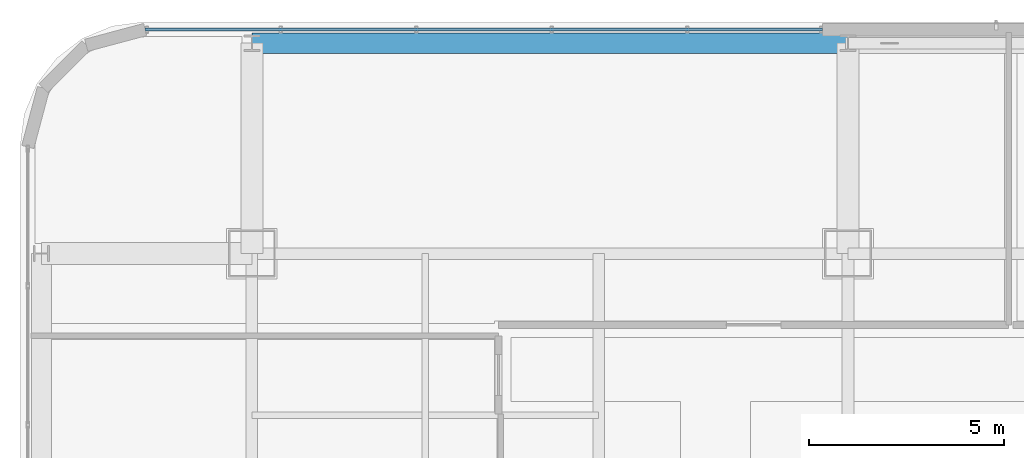
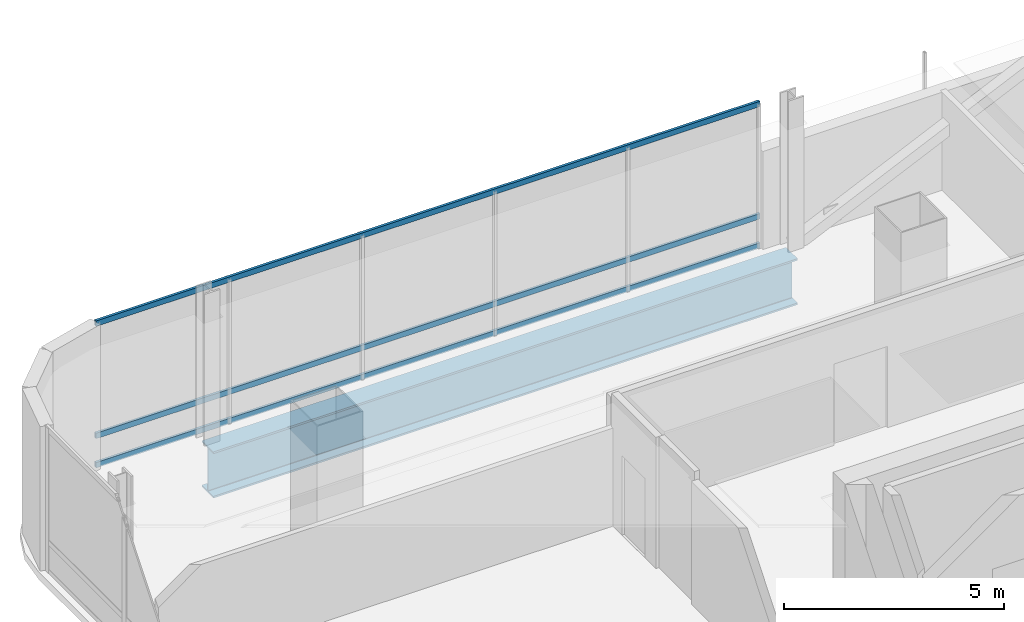
# One storey, part 23 of 43: 3 members, 1 beam, 1 element without a shape of its own.
"""IFC4 building model written with IfcOpenShell, lengths in metres."""

from ifc_helpers import new_model, si_unit, direction, frame, origin, origin_2d, place, context, subcontext, project, spatial, hollow_rectangle, i_section, extrude, material, material_profile, profile_set, type_object, element, aggregate, save


model = new_model("IFC4")

# Units and contexts
model_context = context("Model", 3, precision=1e-05, world=origin(), true_north=direction((0.0, 1.0)))
body_context = subcontext(model_context, "Body", "Model", "MODEL_VIEW")
ifc_project = project(units=[si_unit("LENGTHUNIT", "METRE"), si_unit("AREAUNIT", "SQUARE_METRE"), si_unit("VOLUMEUNIT", "CUBIC_METRE"), si_unit("PLANEANGLEUNIT", "RADIAN"), si_unit("MASSUNIT", "GRAM", prefix="KILO")], contexts=[model_context])

# Site, building, storey
site_placement = place(None, origin())
site = spatial("IfcSite", under=ifc_project, at=site_placement, CompositionType="ELEMENT")
building_placement = place(site_placement, origin())
building = spatial("IfcBuilding", under=site, at=building_placement, Name="Punatoya Terracotta Tower", CompositionType="ELEMENT")
storey_placement = place(building_placement, frame((0.0, 0.0, 300.60009765625)))
storey = spatial("IfcBuildingStorey", under=building, at=storey_placement, Name="L71", CompositionType="ELEMENT", Elevation=300.60009765625)

# Beam
ifc_material_1 = material(Name="Steel S460", Category="steel")
ifc_material_profile_1 = material_profile(ifc_material_1, i_section(OverallWidth=0.52001953125, OverallDepth=1.280029296875, WebThickness=0.031982421875, FlangeThickness=0.050048828125, FilletRadius=0.01806640625, at=origin_2d()))
ifc_profile_set_1 = profile_set([ifc_material_profile_1], Name="Steel S460")
beam_type = type_object("IfcBeamType", Name="BM-TG-NCK", PredefinedType="BEAM", material=ifc_profile_set_1)
beam_placement = place(storey_placement, frame((-19.10009765625, 22.89990234375, -0.840087890625), z_axis=(1.0, 0.0, 0.0), x_axis=(0.0, 1.0, 0.0)))
element("IfcBeam", 1, at=beam_placement, inside=storey, type_object=beam_type, Name="BM-L71-PER-N1", PredefinedType="BEAM", context=body_context, shape_type="SweptSolid", body=[
    extrude(i_section(OverallWidth=0.52001953125, OverallDepth=1.280029296875, WebThickness=0.031982421875, FlangeThickness=0.050048828125, FilletRadius=0.01806640625, at=origin_2d()), origin(), (0.0, 0.0, 1.0), 15.300048828125),
])

# Curtain wall, members
ifc_material_2 = material(Name="Aluminium 6063-T6 + Double Low-E Glass", Category="aluminium")
curtain_wall_type = type_object("IfcCurtainWallType", Name="CW-M3", PredefinedType="NOTDEFINED", material=ifc_material_2)
curtain_wall_placement = place(storey_placement, origin())
curtain_wall = element("IfcCurtainWall", 2, at=curtain_wall_placement, inside=storey, type_object=curtain_wall_type, Name="L71 Curtain Wall CW-L71-N09-2", PredefinedType="NOTDEFINED")
ifc_material_3 = material(Name="Aluminium 6063-T6", Category="aluminium")
ifc_material_profile_2 = material_profile(ifc_material_3, hollow_rectangle(XDim=0.068115234375, YDim=0.14990234375, WallThickness=0.00390625, at=origin_2d()))
ifc_profile_set_2 = profile_set([ifc_material_profile_2], Name="Aluminium 6063-T6")
member_type = type_object("IfcMemberType", Name="CW-TRN-TYP", PredefinedType="USERDEFINED", material=ifc_profile_set_2)
member_1_placement = place(storey_placement, frame((-4.449951171875, 23.25, 0.039794921875), z_axis=(-1.0, 0.0, 0.0), x_axis=(0.0, -1.0, 0.0)))
member_1 = element("IfcMember", 3, at=member_1_placement, type_object=member_type, Name="CW-L71-N09-2 Transom 1", ObjectType="TRANSOM", PredefinedType="USERDEFINED", context=body_context, shape_type="SweptSolid", body=[
    extrude(hollow_rectangle(XDim=0.068115234375, YDim=0.14990234375, WallThickness=0.00390625, at=origin_2d()), origin(), (0.0, 0.0, 1.0), 17.386962890625),
])
member_2_placement = place(storey_placement, frame((-4.449951171875, 23.25, 0.849853515625), z_axis=(-1.0, 0.0, 0.0), x_axis=(0.0, -1.0, 0.0)))
member_2 = element("IfcMember", 4, at=member_2_placement, type_object=member_type, Name="CW-L71-N09-2 Transom 2", ObjectType="TRANSOM", PredefinedType="USERDEFINED", context=body_context, shape_type="SweptSolid", body=[
    extrude(hollow_rectangle(XDim=0.068115234375, YDim=0.14990234375, WallThickness=0.00390625, at=origin_2d()), origin(), (0.0, 0.0, 1.0), 17.386962890625),
])
member_3_placement = place(storey_placement, frame((-4.449951171875, 23.25, 3.9599609375), z_axis=(-1.0, 0.0, 0.0), x_axis=(0.0, -1.0, 0.0)))
member_3 = element("IfcMember", 5, at=member_3_placement, type_object=member_type, Name="CW-L71-N09-2 Transom 3", ObjectType="TRANSOM", PredefinedType="USERDEFINED", context=body_context, shape_type="SweptSolid", body=[
    extrude(hollow_rectangle(XDim=0.068115234375, YDim=0.14990234375, WallThickness=0.00390625, at=origin_2d()), origin(), (0.0, 0.0, 1.0), 17.386962890625),
])
aggregate(curtain_wall, [member_1, member_2, member_3])

save(model, "model.ifc")
